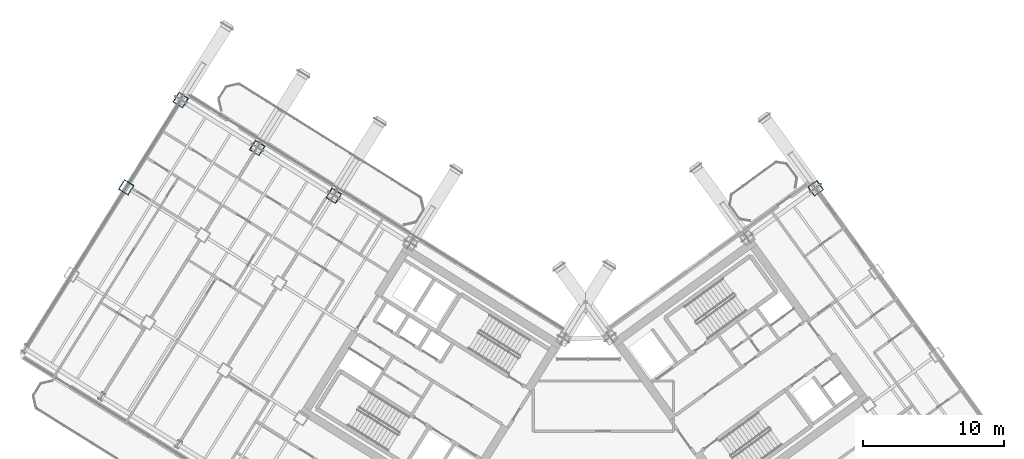
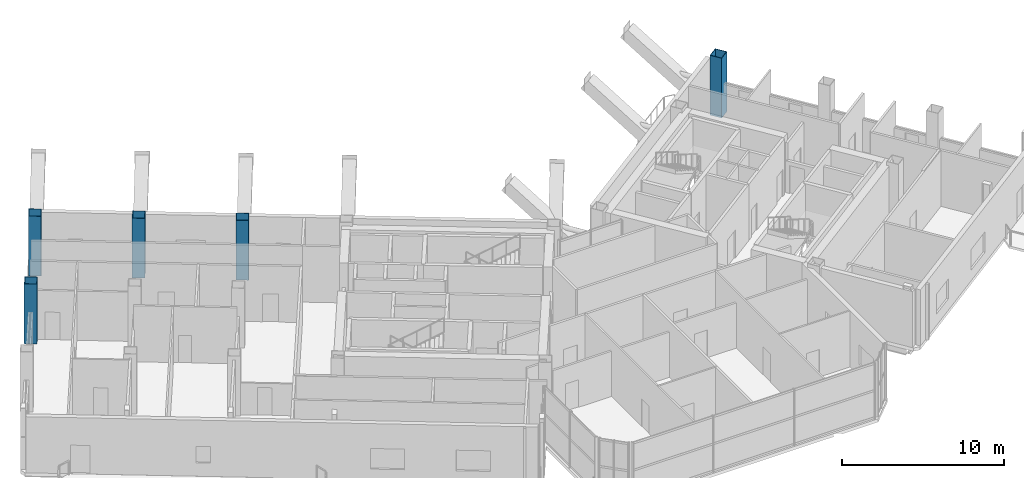
# One storey, part 3 of 34: 5 columns.
"""IFC4 building model written with IfcOpenShell, lengths in metres."""

from ifc_helpers import new_model, si_unit, direction, frame, origin, origin_2d, place, context, subcontext, project, spatial, hollow_rectangle, extrude, source, transform, mapped, material, material_profile, profile_set, type_object, element, save


model = new_model("IFC4")

# Units and contexts
model_context = context("Model", 3, precision=1e-05, world=origin(), true_north=direction((0.0, 1.0)))
body_context = subcontext(model_context, "Body", "Model", "MODEL_VIEW")
ifc_project = project(units=[si_unit("LENGTHUNIT", "METRE"), si_unit("AREAUNIT", "SQUARE_METRE"), si_unit("VOLUMEUNIT", "CUBIC_METRE"), si_unit("PLANEANGLEUNIT", "RADIAN"), si_unit("MASSUNIT", "GRAM", prefix="KILO")], contexts=[model_context])

# Site, building, storey
site_placement = place(None, origin())
site = spatial("IfcSite", under=ifc_project, at=site_placement, CompositionType="ELEMENT")
building_placement = place(site_placement, origin())
building = spatial("IfcBuilding", under=site, at=building_placement, Name="Tlacorven Tower", CompositionType="ELEMENT")
storey_placement = place(building_placement, frame((0.0, 0.0, 174.89990234375)))
storey = spatial("IfcBuildingStorey", under=building, at=storey_placement, Name="L44", CompositionType="ELEMENT", Elevation=174.89990234375)

# Columns
ifc_material = material(Name="Steel S460M", Category="steel")
ifc_material_profile = material_profile(ifc_material, hollow_rectangle(XDim=0.800048828125, YDim=0.800048828125, WallThickness=0.031982421875, at=origin_2d()), Name="BOX 800X800X32")
ifc_profile_set = profile_set([ifc_material_profile], Name="Steel S460M")
column_type = type_object("IfcColumnType", Name="COL-TWR-S3", PredefinedType="COLUMN", material=ifc_profile_set)
shared_shape = source(origin(), body_context, "Body", "SweptSolid", [
    extrude(hollow_rectangle(XDim=0.800048828125, YDim=0.800048828125, WallThickness=0.031982421875, at=origin_2d()), origin(), (0.0, 0.0, 1.0), 4.5),
])
for number, where, z_axis, x_axis, name in (
    (1, (24.50048828125, 34.642822265625, 0.0), (0.0, 0.0, 1.0), (-0.848048096156, 0.529919264233, 0.0), "L44 column COL-L44-W4-1"),
    (2, (19.072998046875, 38.034423828125, 0.0), (0.0, 0.0, 1.0), (-0.848048096156, 0.529919264233, 0.0), "L44 column COL-L44-W5-1"),
    (3, (13.6455078125, 41.42578125, 0.0), (0.0, 0.0, 1.0), (-0.848048096156, 0.529919264233, 0.0), "L44 column COL-L44-W6-1"),
    (4, (9.777099609375, 35.235107421875, 0.0), (0.0, 0.0, 1.0), (-0.848048096156, 0.529919264233, 0.0), "L44 column COL-L44-W6-2"),
    (5, (58.68603515625, 35.165283203125, 0.0), (0.0, 0.0, 1.0), (0.809016994375, 0.587785252292, 0.0), "L44 column COL-L44-E4-4"),
):
    element("IfcColumn", number, at=place(storey_placement, frame(where, z_axis=z_axis, x_axis=x_axis)), inside=storey, type_object=column_type, Name=name, PredefinedType="COLUMN", context=body_context, shape_type="MappedRepresentation", body=[
        mapped(shared_shape, transform((0.0, 0.0, 0.0), scale=1.0)),
    ])

save(model, "model.ifc")
